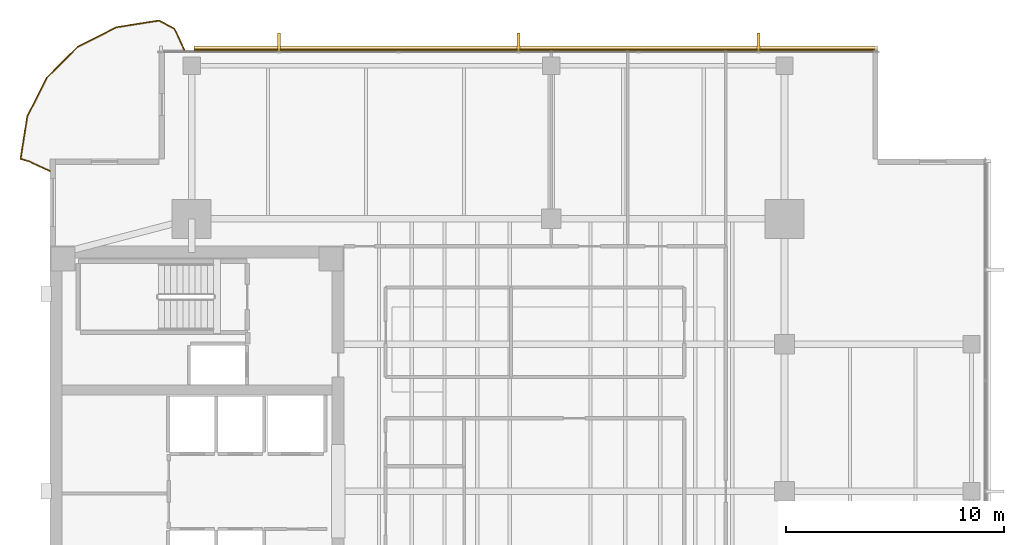
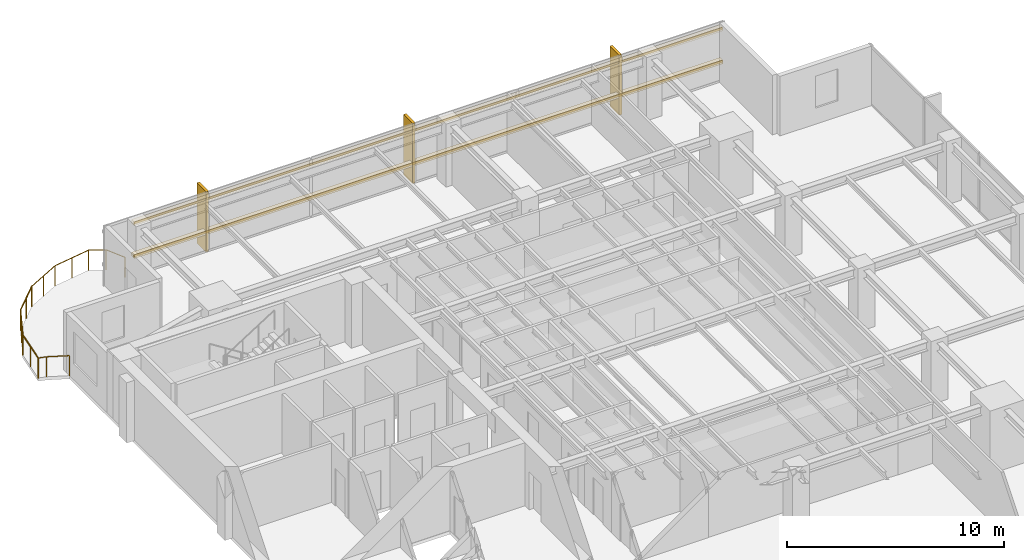
# One storey, part 15 of 15: 9 railings, 5 coverings, 2 shading devices.
"""IFC4 building model written with IfcOpenShell, lengths in metres."""

from ifc_helpers import new_model, si_unit, direction, frame, origin, origin_2d, place, context, subcontext, project, spatial, polyline, rectangle, circle, outline, extrude, material, layer, layer_set, material_profile, profile_set, type_object, element, save


model = new_model("IFC4")

# Units and contexts
model_context = context("Model", 3, precision=1e-05, world=origin(), true_north=direction((0.0, 1.0)))
body_context = subcontext(model_context, "Body", "Model", "MODEL_VIEW")
ifc_project = project(units=[si_unit("LENGTHUNIT", "METRE"), si_unit("AREAUNIT", "SQUARE_METRE"), si_unit("VOLUMEUNIT", "CUBIC_METRE"), si_unit("PLANEANGLEUNIT", "RADIAN"), si_unit("MASSUNIT", "GRAM", prefix="KILO")], contexts=[model_context])

# Site, building, storey
site_placement = place(None, origin())
site = spatial("IfcSite", under=ifc_project, at=site_placement, CompositionType="ELEMENT")
building_placement = place(site_placement, origin())
building = spatial("IfcBuilding", under=site, at=building_placement, Name="Kinhvarn Gate Tower", CompositionType="ELEMENT")
storey_placement = place(building_placement, frame((0.0, 0.0, 237.75)))
storey = spatial("IfcBuildingStorey", under=building, at=storey_placement, Name="L63", CompositionType="ELEMENT", Elevation=237.75)

# Coverings
ifc_material_1 = material(Name="Fired architectural terracotta", Category="masonry")
ifc_layer_1 = layer(ifc_material_1, 0.239990234375)
ifc_layer_set_1 = layer_set([ifc_layer_1], Name="Fired architectural terracotta")
covering_type_1 = type_object("IfcCoveringType", Name="COV-BAG-220", PredefinedType="CLADDING", material=ifc_layer_set_1)
for number, where, name in (
    (1, (0.0, 0.0, 0.93994140625), "Terracotta Horizontal Sunscreen Band TBG-220 (L63)"),
    (2, (0.0, 0.0, 2.7900390625), "Terracotta Horizontal Sunscreen Band TBG-220 (L63)"),
):
    element("IfcCovering", number, at=place(storey_placement, frame(where)), inside=storey, type_object=covering_type_1, Name=name, PredefinedType="CLADDING", context=body_context, shape_type="SweptSolid", body=[
        extrude(outline(polyline([(42.4599609375, 45.429931640625), (11.114990234375, 45.429931640625), (11.114990234375, 45.669921875), (42.4599609375, 45.669921875), (42.4599609375, 45.429931640625)])), origin(), (0.0, 0.0, 1.0), 0.219970703125),
    ])
ifc_layer_2 = layer(ifc_material_1, 0.139892578125)
ifc_layer_set_2 = layer_set([ifc_layer_2], Name="Fired architectural terracotta")
covering_type_2 = type_object("IfcCoveringType", Name="COV-FIN-850", PredefinedType="CLADDING", material=ifc_layer_set_2)
covering_1_placement = place(storey_placement, frame((0.0, 0.0, -0.02001953125)))
element("IfcCovering", 3, at=covering_1_placement, inside=storey, type_object=covering_type_2, Name="Vertical Terracotta Expressive Fin TFN-850 (L63)", PredefinedType="CLADDING", context=body_context, shape_type="SweptSolid", body=[
    extrude(outline(polyline([(37.070068359375, 45.419921875), (36.929931640625, 45.419921875), (36.929931640625, 46.27001953125), (37.070068359375, 46.27001953125), (37.070068359375, 45.419921875)])), origin(), (0.0, 0.0, 1.0), 3.39013671875),
])
covering_2_placement = place(storey_placement, frame((0.0, 0.0, -0.02001953125)))
element("IfcCovering", 4, at=covering_2_placement, inside=storey, type_object=covering_type_2, Name="Vertical Terracotta Expressive Fin TFN-850 (L63)", PredefinedType="CLADDING", context=body_context, shape_type="SweptSolid", body=[
    extrude(outline(polyline([(26.070068359375, 45.419921875), (25.929931640625, 45.419921875), (25.929931640625, 46.27001953125), (26.070068359375, 46.27001953125), (26.070068359375, 45.419921875)])), origin(), (0.0, 0.0, 1.0), 3.39013671875),
])
covering_3_placement = place(storey_placement, frame((0.0, 0.0, -0.02001953125)))
element("IfcCovering", 5, at=covering_3_placement, inside=storey, type_object=covering_type_2, Name="Vertical Terracotta Expressive Fin TFN-850 (L63)", PredefinedType="CLADDING", context=body_context, shape_type="SweptSolid", body=[
    extrude(outline(polyline([(15.070068359375, 45.419921875), (14.929931640625, 45.419921875), (14.929931640625, 46.27001953125), (15.070068359375, 46.27001953125), (15.070068359375, 45.419921875)])), origin(), (0.0, 0.0, 1.0), 3.39013671875),
])

# Railings
ifc_material_2 = material(Name="Clear low-e double glazing", Category="glass")
railing_type = type_object("IfcRailingType", Name="RL-BAL-1150", PredefinedType="BALUSTRADE", material=ifc_material_2)
railing_1_placement = place(storey_placement, frame((10.6650390625, 45.5, 0.0)))
element("IfcRailing", 6, at=railing_1_placement, inside=storey, type_object=railing_type, Name="S-Carve Balcony Guardrail Seg 1 (L63)", PredefinedType="BALUSTRADE", context=body_context, shape_type="SweptSolid", body=[
    extrude(circle(Radius=0.02392578125, at=origin_2d()), frame((0.0, 0.0, 1.1259765625), z_axis=(-0.420113139387, 0.90747173516, 0.0), x_axis=(-0.90747173516, -0.420113139387, 0.0)), (0.0, 0.0, 1.0), 1.071044921875),
    extrude(circle(Radius=0.02099609375, at=origin_2d()), origin(), (0.0, 0.0, 1.0), 1.101806640625),
    extrude(circle(Radius=0.02099609375, at=origin_2d()), frame((-0.449951171875, 0.971923828125, 0.0)), (0.0, 0.0, 1.0), 1.101806640625),
])
railing_2_placement = place(storey_placement, frame((10.215087890625, 46.471923828125, 0.0)))
element("IfcRailing", 7, at=railing_2_placement, inside=storey, type_object=railing_type, Name="S-Carve Balcony Guardrail Seg 2 (L63)", PredefinedType="BALUSTRADE", context=body_context, shape_type="SweptSolid", body=[
    extrude(circle(Radius=0.02392578125, at=origin_2d()), frame((0.0, 0.0, 1.1259765625), z_axis=(-0.883993386255, 0.467499404339, 0.0), x_axis=(-0.467499404339, -0.883993386255, 0.0)), (0.0, 0.0, 1.0), 0.808837890625),
    extrude(circle(Radius=0.02099609375, at=origin_2d()), origin(), (0.0, 0.0, 1.0), 1.101806640625),
    extrude(circle(Radius=0.02099609375, at=origin_2d()), frame((-0.715087890625, 0.378173828125, 0.0)), (0.0, 0.0, 1.0), 1.101806640625),
])
railing_3_placement = place(storey_placement, frame((9.5, 46.85009765625, 0.0)))
element("IfcRailing", 8, at=railing_3_placement, inside=storey, type_object=railing_type, Name="S-Carve Balcony Guardrail Seg 3 (L63)", PredefinedType="BALUSTRADE", context=body_context, shape_type="SweptSolid", body=[
    extrude(circle(Radius=0.02392578125, at=origin_2d()), frame((0.0, 0.0, 1.1259765625), z_axis=(-0.987690127674, -0.156423181454, 0.0), x_axis=(0.156423181454, -0.987690127674, 0.0)), (0.0, 0.0, 1.0), 1.98681640625),
    extrude(circle(Radius=0.02099609375, at=origin_2d()), origin(), (0.0, 0.0, 1.0), 1.101806640625),
    extrude(circle(Radius=0.02099609375, at=origin_2d()), frame((-0.981201171875, -0.1552734375, 0.0)), (0.0, 0.0, 1.0), 1.101806640625),
    extrude(circle(Radius=0.02099609375, at=origin_2d()), frame((-1.96240234375, -0.310791015625, 0.0)), (0.0, 0.0, 1.0), 1.101806640625),
])
railing_4_placement = place(storey_placement, frame((7.53759765625, 46.539306640625, 0.0)))
element("IfcRailing", 9, at=railing_4_placement, inside=storey, type_object=railing_type, Name="S-Carve Balcony Guardrail Seg 4 (L63)", PredefinedType="BALUSTRADE", context=body_context, shape_type="SweptSolid", body=[
    extrude(circle(Radius=0.02392578125, at=origin_2d()), frame((0.0, 0.0, 1.1259765625), z_axis=(-0.89095976722, -0.454082253776, 0.0), x_axis=(0.454082253776, -0.89095976722, 0.0)), (0.0, 0.0, 1.0), 1.986572265625),
    extrude(circle(Radius=0.02099609375, at=origin_2d()), origin(), (0.0, 0.0, 1.0), 1.101806640625),
    extrude(circle(Radius=0.02099609375, at=origin_2d()), frame((-0.885009765625, -0.451171875, 0.0)), (0.0, 0.0, 1.0), 1.101806640625),
    extrude(circle(Radius=0.02099609375, at=origin_2d()), frame((-1.77001953125, -0.902099609375, 0.0)), (0.0, 0.0, 1.0), 1.101806640625),
])
railing_5_placement = place(storey_placement, frame((5.767578125, 45.63720703125, 0.0)))
element("IfcRailing", 10, at=railing_5_placement, inside=storey, type_object=railing_type, Name="S-Carve Balcony Guardrail Seg 5 (L63)", PredefinedType="BALUSTRADE", context=body_context, shape_type="SweptSolid", body=[
    extrude(circle(Radius=0.02392578125, at=origin_2d()), frame((0.0, 0.0, 1.1259765625), z_axis=(-0.707106781187, -0.707106781187, 0.0), x_axis=(0.707106781187, -0.707106781187, 0.0)), (0.0, 0.0, 1.0), 1.986572265625),
    extrude(circle(Radius=0.02099609375, at=origin_2d()), origin(), (0.0, 0.0, 1.0), 1.101806640625),
    extrude(circle(Radius=0.02099609375, at=origin_2d()), frame((-0.702392578125, -0.702392578125, 0.0)), (0.0, 0.0, 1.0), 1.101806640625),
    extrude(circle(Radius=0.02099609375, at=origin_2d()), frame((-1.40478515625, -1.40478515625, 0.0)), (0.0, 0.0, 1.0), 1.101806640625),
])
railing_6_placement = place(storey_placement, frame((4.36279296875, 44.232421875, 0.0)))
element("IfcRailing", 11, at=railing_6_placement, inside=storey, type_object=railing_type, Name="S-Carve Balcony Guardrail Seg 6 (L63)", PredefinedType="BALUSTRADE", context=body_context, shape_type="SweptSolid", body=[
    extrude(circle(Radius=0.02392578125, at=origin_2d()), frame((0.0, 0.0, 1.1259765625), z_axis=(-0.454082253776, -0.89095976722, 0.0), x_axis=(0.89095976722, -0.454082253776, 0.0)), (0.0, 0.0, 1.0), 1.986572265625),
    extrude(circle(Radius=0.02099609375, at=origin_2d()), origin(), (0.0, 0.0, 1.0), 1.101806640625),
    extrude(circle(Radius=0.02099609375, at=origin_2d()), frame((-0.451171875, -0.885009765625, 0.0)), (0.0, 0.0, 1.0), 1.101806640625),
    extrude(circle(Radius=0.02099609375, at=origin_2d()), frame((-0.902099609375, -1.77001953125, 0.0)), (0.0, 0.0, 1.0), 1.101806640625),
])
railing_7_placement = place(storey_placement, frame((3.460693359375, 42.46240234375, 0.0)))
element("IfcRailing", 12, at=railing_7_placement, inside=storey, type_object=railing_type, Name="S-Carve Balcony Guardrail Seg 7 (L63)", PredefinedType="BALUSTRADE", context=body_context, shape_type="SweptSolid", body=[
    extrude(circle(Radius=0.02392578125, at=origin_2d()), frame((0.0, 0.0, 1.1259765625), z_axis=(-0.156423181454, -0.987690127674, 0.0), x_axis=(0.987690127674, -0.156423181454, 0.0)), (0.0, 0.0, 1.0), 1.98681640625),
    extrude(circle(Radius=0.02099609375, at=origin_2d()), origin(), (0.0, 0.0, 1.0), 1.101806640625),
    extrude(circle(Radius=0.02099609375, at=origin_2d()), frame((-0.1552734375, -0.981201171875, 0.0)), (0.0, 0.0, 1.0), 1.101806640625),
    extrude(circle(Radius=0.02099609375, at=origin_2d()), frame((-0.310791015625, -1.96240234375, 0.0)), (0.0, 0.0, 1.0), 1.101806640625),
])
railing_8_placement = place(storey_placement, frame((3.14990234375, 40.5, 0.0)))
element("IfcRailing", 13, at=railing_8_placement, inside=storey, type_object=railing_type, Name="S-Carve Balcony Guardrail Seg 8 (L63)", PredefinedType="BALUSTRADE", context=body_context, shape_type="SweptSolid", body=[
    extrude(circle(Radius=0.02392578125, at=origin_2d()), frame((0.0, 0.0, 1.1259765625), z_axis=(0.961617597211, -0.274393142652, 0.0), x_axis=(0.274393142652, 0.961617597211, 0.0)), (0.0, 0.0, 1.0), 0.393310546875),
    extrude(circle(Radius=0.02099609375, at=origin_2d()), origin(), (0.0, 0.0, 1.0), 1.101806640625),
    extrude(circle(Radius=0.02099609375, at=origin_2d()), frame((0.378173828125, -0.10791015625, 0.0)), (0.0, 0.0, 1.0), 1.101806640625),
])
railing_9_placement = place(storey_placement, frame((3.528076171875, 40.39208984375, 0.0)))
element("IfcRailing", 14, at=railing_9_placement, inside=storey, type_object=railing_type, Name="S-Carve Balcony Guardrail Seg 9 (L63)", PredefinedType="BALUSTRADE", context=body_context, shape_type="SweptSolid", body=[
    extrude(circle(Radius=0.02392578125, at=origin_2d()), frame((0.0, 0.0, 1.1259765625), z_axis=(0.907384819965, -0.420300830951, 0.0), x_axis=(0.420300830951, 0.907384819965, 0.0)), (0.0, 0.0, 1.0), 1.071044921875),
    extrude(circle(Radius=0.02099609375, at=origin_2d()), origin(), (0.0, 0.0, 1.0), 1.101806640625),
    extrude(circle(Radius=0.02099609375, at=origin_2d()), frame((0.971923828125, -0.4501953125, 0.0)), (0.0, 0.0, 1.0), 1.101806640625),
])

# Shading devices
ifc_material_profile = material_profile(ifc_material_1, rectangle(XDim=0.050048828125, YDim=0.1201171875, at=origin_2d()), Name="TC 50x120")
ifc_profile_set = profile_set([ifc_material_profile], Name="Fired architectural terracotta")
shading_device_type = type_object("IfcShadingDeviceType", Name="SHD-BAG-140", PredefinedType="USERDEFINED", material=ifc_profile_set)
for number, where, z_axis, x_axis, name in (
    (15, (42.4599609375, 45.5, 1.050048828125), (-1.0, 0.0, 0.0), (0.0, -1.0, 0.0), "Upper Tower Terracotta Baguette Screen Rod 50x120 mm (L63)"),
    (16, (42.4599609375, 45.5, 2.89990234375), (-1.0, 0.0, 0.0), (0.0, -1.0, 0.0), "Upper Tower Terracotta Baguette Screen Rod 50x120 mm (L63)"),
):
    element("IfcShadingDevice", number, at=place(storey_placement, frame(where, z_axis=z_axis, x_axis=x_axis)), inside=storey, type_object=shading_device_type, Name=name, ObjectType="BAGUETTE", PredefinedType="USERDEFINED", context=body_context, shape_type="SweptSolid", body=[
        extrude(rectangle(XDim=0.050048828125, YDim=0.1201171875, at=origin_2d()), origin(), (0.0, 0.0, 1.0), 31.344970703125),
    ])

save(model, "model.ifc")
